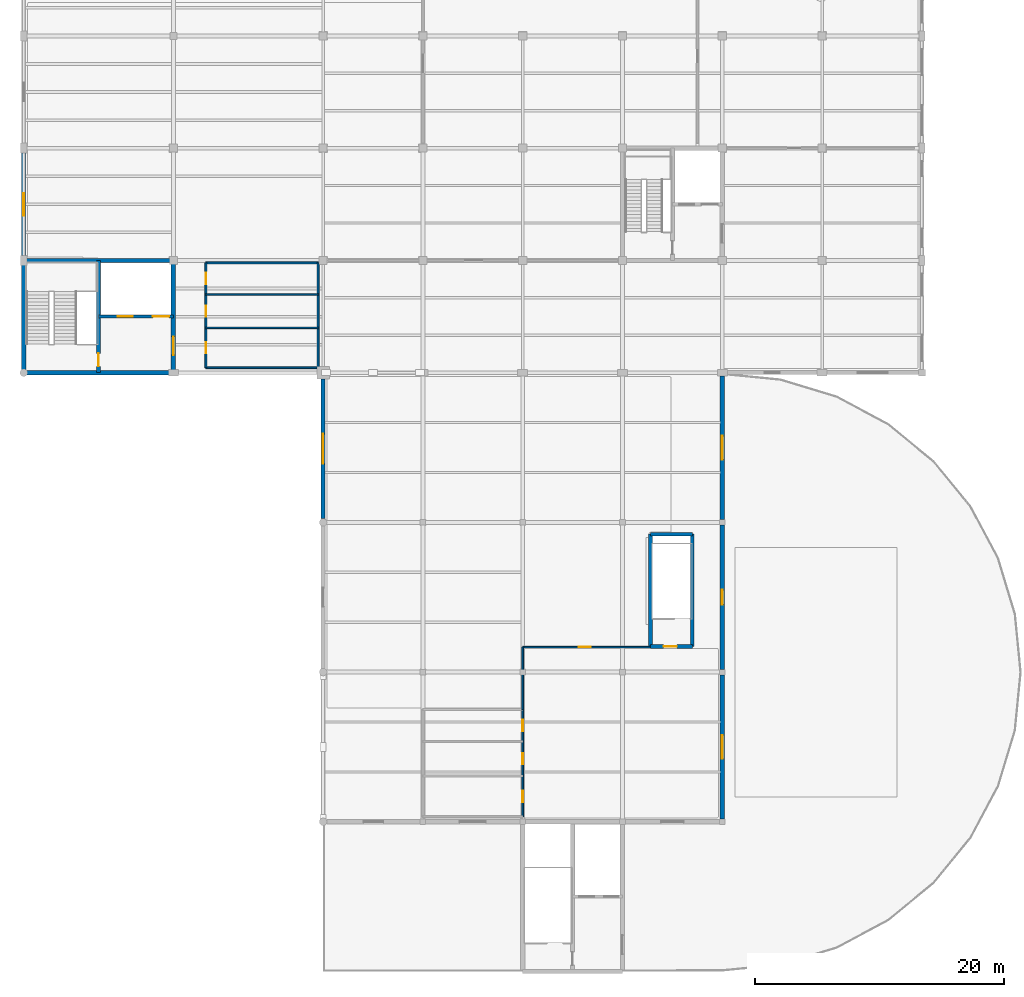
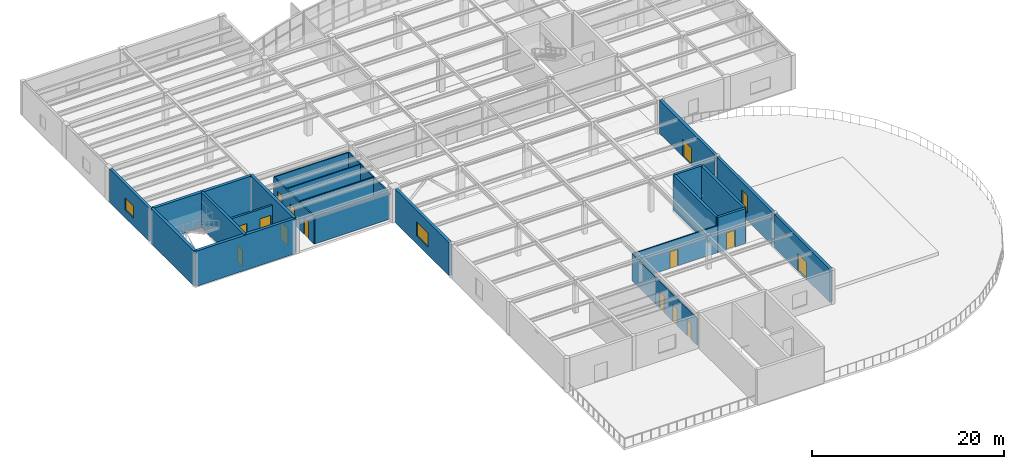
# One storey, part 8 of 16: 24 walls, 14 doors, 3 windows, 17 openings.
"""IFC4 building model written with IfcOpenShell, lengths in metres."""

from ifc_helpers import new_model, si_unit, direction, frame, frame_2d, origin, place, context, subcontext, project, spatial, rectangle, extrude, material, layer, layer_set, type_object, element, fill, save


model = new_model("IFC4")

# Units and contexts
model_context = context("Model", 3, precision=1e-05, world=origin(), true_north=direction((0.0, 1.0)))
body_context = subcontext(model_context, "Body", "Model", "MODEL_VIEW")
ifc_project = project(units=[si_unit("LENGTHUNIT", "METRE"), si_unit("AREAUNIT", "SQUARE_METRE"), si_unit("VOLUMEUNIT", "CUBIC_METRE"), si_unit("PLANEANGLEUNIT", "RADIAN"), si_unit("MASSUNIT", "GRAM", prefix="KILO")], contexts=[model_context])

# Site, building, storey
site_placement = place(None, origin())
site = spatial("IfcSite", under=ifc_project, at=site_placement, CompositionType="ELEMENT")
building_placement = place(site_placement, origin())
building = spatial("IfcBuilding", under=site, at=building_placement, Name="Keelwater Ferry Terminal", CompositionType="ELEMENT")
storey_placement = place(building_placement, frame((0.0, 0.0, 15.0)))
storey = spatial("IfcBuildingStorey", under=building, at=storey_placement, Name="L03", CompositionType="ELEMENT", Elevation=15.0)

# Wall, opening, door
ifc_material_1 = material(Name="Precast concrete C40/50", Category="concrete")
ifc_layer_1 = layer(ifc_material_1, 0.340087890625)
ifc_layer_set_1 = layer_set([ifc_layer_1], Name="Precast concrete C40/50")
wall_type_1 = type_object("IfcWallType", Name="EW-LM340 External Solid Wall 340", PredefinedType="SOLIDWALL", material=ifc_layer_set_1)
wall_1_placement = place(storey_placement, frame((164.0, 54.22509765625, 0.0), z_axis=(0.0, 0.0, 1.0), x_axis=(0.0, 1.0, 0.0)))
wall_1 = element("IfcWall", 1, at=wall_1_placement, inside=storey, type_object=wall_type_1, Name="External Wall WL-L03-0075", PredefinedType="SOLIDWALL", context=body_context, shape_type="SweptSolid", body=[
    extrude(rectangle(XDim=11.5498046875, YDim=0.340087890625, at=frame_2d((5.77490234375, 0.0))), origin(), (0.0, 0.0, 1.0), 4.239990234375),
])
opening_1_placement = place(wall_1_placement, frame((4.824951171875, 0.0, 0.0)))
opening_1 = element("IfcOpeningElement", 2, at=opening_1_placement, cuts=wall_1, Name="Opening TD-07", PredefinedType="OPENING", context=body_context, shape_type="SweptSolid", body=[
    extrude(rectangle(XDim=1.89990234375, YDim=2.199951171875, at=frame_2d((0.949951171875, 1.10009765625))), frame((0.0, 0.179931640625, 0.0), z_axis=(0.0, -1.0, 0.0), x_axis=(1.0, 0.0, 0.0)), (0.0, 0.0, 1.0), 0.360107421875),
])
ifc_material_2 = material(Name="Anodised aluminium and laminated safety glass", Category="aluminium")
door_type_1 = type_object("IfcDoorType", Name="TD-T1 Pedestrian Door 1900x2200", OperationType="DOUBLE_DOOR_SINGLE_SWING", PredefinedType="DOOR", material=ifc_material_2)
door_1_placement = place(opening_1_placement, origin())
door_1 = element("IfcDoor", 3, at=door_1_placement, inside=storey, type_object=door_type_1, Name="Door TD-07", OperationType="DOUBLE_DOOR_SINGLE_SWING", OverallHeight=2.199951171875, OverallWidth=1.89990234375, PredefinedType="DOOR", context=body_context, shape_type="SweptSolid", body=[
    extrude(rectangle(XDim=1.89990234375, YDim=2.199951171875, at=frame_2d((0.949951171875, 1.10009765625))), frame((0.0, 0.02490234375, 0.0), z_axis=(0.0, -1.0, 0.0), x_axis=(1.0, 0.0, 0.0)), (0.0, 0.0, 1.0), 0.050048828125),
])
fill(opening_1, door_1)

# Wall, opening, window
wall_2_placement = place(storey_placement, frame((164.0, 66.22509765625, 0.0), z_axis=(0.0, 0.0, 1.0), x_axis=(0.0, 1.0, 0.0)))
wall_2 = element("IfcWall", 4, at=wall_2_placement, inside=storey, type_object=wall_type_1, Name="External Wall WL-L03-0077", PredefinedType="SOLIDWALL", context=body_context, shape_type="SweptSolid", body=[
    extrude(rectangle(XDim=11.5498046875, YDim=0.340087890625, at=frame_2d((5.77490234375, 0.0))), origin(), (0.0, 0.0, 1.0), 4.239990234375),
])
opening_2_placement = place(wall_2_placement, frame((5.175048828125, 0.0, 1.0)))
opening_2 = element("IfcOpeningElement", 5, at=opening_2_placement, cuts=wall_2, Name="Opening WN-05", PredefinedType="OPENING", context=body_context, shape_type="SweptSolid", body=[
    extrude(rectangle(XDim=1.199951171875, YDim=2.199951171875, at=frame_2d((0.60009765625, 1.10009765625))), frame((0.0, 0.179931640625, 0.0), z_axis=(0.0, -1.0, 0.0), x_axis=(1.0, 0.0, 0.0)), (0.0, 0.0, 1.0), 0.360107421875),
])
ifc_material_3 = material(Name="Triple low-E glass in thermally broken aluminium frame", Category="aluminium")
window_type_1 = type_object("IfcWindowType", Name="WN-05 Exterior Window 1200x2200", PartitioningType="SINGLE_PANEL", PredefinedType="WINDOW", material=ifc_material_3)
window_1_placement = place(opening_2_placement, origin())
window_1 = element("IfcWindow", 6, at=window_1_placement, inside=storey, type_object=window_type_1, Name="Window WN-L03-0037", OverallHeight=2.199951171875, OverallWidth=1.199951171875, PartitioningType="SINGLE_PANEL", PredefinedType="WINDOW", context=body_context, shape_type="SweptSolid", body=[
    extrude(rectangle(XDim=1.199951171875, YDim=2.199951171875, at=frame_2d((0.60009765625, 1.10009765625))), frame((0.0, 0.030029296875, 0.0), z_axis=(0.0, -1.0, 0.0), x_axis=(1.0, 0.0, 0.0)), (0.0, 0.0, 1.0), 0.06005859375),
])
fill(opening_2, window_1)

wall_3_placement = place(storey_placement, frame((132.0, 89.5, 0.0), z_axis=(0.0, 0.0, 1.0), x_axis=(0.0, -1.0, 0.0)))
wall_3 = element("IfcWall", 7, at=wall_3_placement, inside=storey, type_object=wall_type_1, Name="External Wall WL-L03-0078", PredefinedType="SOLIDWALL", context=body_context, shape_type="SweptSolid", body=[
    extrude(rectangle(XDim=11.199951171875, YDim=0.340087890625, at=frame_2d((5.60009765625, 0.0))), origin(), (0.0, 0.0, 1.0), 4.239990234375),
])
opening_3_placement = place(wall_3_placement, frame((4.39990234375, 0.0, 1.0)))
opening_3 = element("IfcOpeningElement", 8, at=opening_3_placement, cuts=wall_3, Name="Opening WN-06", PredefinedType="OPENING", context=body_context, shape_type="SweptSolid", body=[
    extrude(rectangle(XDim=2.39990234375, YDim=1.800048828125, at=frame_2d((1.199951171875, 0.89990234375))), frame((0.0, 0.179931640625, 0.0), z_axis=(0.0, -1.0, 0.0), x_axis=(1.0, 0.0, 0.0)), (0.0, 0.0, 1.0), 0.360107421875),
])
ifc_material_4 = material(Name="Triple low-E glass in thermally broken aluminium frame", Category="aluminium")
window_type_2 = type_object("IfcWindowType", Name="WN-06 Exterior Window 2400x1800", PartitioningType="SINGLE_PANEL", PredefinedType="WINDOW", material=ifc_material_4)
window_2_placement = place(opening_3_placement, origin())
window_2 = element("IfcWindow", 9, at=window_2_placement, inside=storey, type_object=window_type_2, Name="Window WN-L03-0038", OverallHeight=1.800048828125, OverallWidth=2.39990234375, PartitioningType="SINGLE_PANEL", PredefinedType="WINDOW", context=body_context, shape_type="SweptSolid", body=[
    extrude(rectangle(XDim=2.39990234375, YDim=1.800048828125, at=frame_2d((1.199951171875, 0.89990234375))), frame((0.0, 0.030029296875, 0.0), z_axis=(0.0, -1.0, 0.0), x_axis=(1.0, 0.0, 0.0)), (0.0, 0.0, 1.0), 0.06005859375),
])
fill(opening_3, window_2)

# Wall, opening, door
wall_4_placement = place(storey_placement, frame((164.0, 78.22509765625, 0.0), z_axis=(0.0, 0.0, 1.0), x_axis=(0.0, 1.0, 0.0)))
wall_4 = element("IfcWall", 10, at=wall_4_placement, inside=storey, type_object=wall_type_1, Name="External Wall WL-L03-0079", PredefinedType="SOLIDWALL", context=body_context, shape_type="SweptSolid", body=[
    extrude(rectangle(XDim=11.52490234375, YDim=0.340087890625, at=frame_2d((5.762451171875, 0.0))), origin(), (0.0, 0.0, 1.0), 4.239990234375),
])
opening_4_placement = place(wall_4_placement, frame((4.81298828125, 0.0, 0.0)))
opening_4 = element("IfcOpeningElement", 11, at=opening_4_placement, cuts=wall_4, Name="Opening TD-08", PredefinedType="OPENING", context=body_context, shape_type="SweptSolid", body=[
    extrude(rectangle(XDim=1.89990234375, YDim=2.199951171875, at=frame_2d((0.949951171875, 1.10009765625))), frame((0.0, 0.179931640625, 0.0), z_axis=(0.0, -1.0, 0.0), x_axis=(1.0, 0.0, 0.0)), (0.0, 0.0, 1.0), 0.360107421875),
])
door_2_placement = place(opening_4_placement, origin())
door_2 = element("IfcDoor", 12, at=door_2_placement, inside=storey, type_object=door_type_1, Name="Door TD-08", OperationType="DOUBLE_DOOR_SINGLE_SWING", OverallHeight=2.199951171875, OverallWidth=1.89990234375, PredefinedType="DOOR", context=body_context, shape_type="SweptSolid", body=[
    extrude(rectangle(XDim=1.89990234375, YDim=2.199951171875, at=frame_2d((0.949951171875, 1.10009765625))), frame((0.0, 0.02490234375, 0.0), z_axis=(0.0, -1.0, 0.0), x_axis=(1.0, 0.0, 0.0)), (0.0, 0.0, 1.0), 0.050048828125),
])
fill(opening_4, door_2)

# Wall, opening, window
ifc_material_5 = material(Name="Precast concrete C40/50", Category="concrete")
ifc_layer_2 = layer(ifc_material_5, 0.320068359375)
ifc_layer_set_2 = layer_set([ifc_layer_2], Name="Precast concrete C40/50")
wall_type_2 = type_object("IfcWallType", Name="EW-TC320 External Solid Wall 320", PredefinedType="SOLIDWALL", material=ifc_layer_set_2)
wall_5_placement = place(storey_placement, frame((108.0, 107.60009765625, 0.0), z_axis=(0.0, 0.0, 1.0), x_axis=(0.0, -1.0, 0.0)))
wall_5 = element("IfcWall", 13, at=wall_5_placement, inside=storey, type_object=wall_type_2, Name="External Wall WL-L03-0115", PredefinedType="SOLIDWALL", context=body_context, shape_type="SweptSolid", body=[
    extrude(rectangle(XDim=8.2001953125, YDim=0.320068359375, at=frame_2d((4.10009765625, 0.0))), origin(), (0.0, 0.0, 1.0), 4.239990234375),
])
opening_5_placement = place(wall_5_placement, frame((3.199951171875, 0.0, 1.0)))
opening_5 = element("IfcOpeningElement", 14, at=opening_5_placement, cuts=wall_5, Name="Opening WN-12", PredefinedType="OPENING", context=body_context, shape_type="SweptSolid", body=[
    extrude(rectangle(XDim=1.800048828125, YDim=1.5, at=frame_2d((0.89990234375, 0.75))), frame((0.0, 0.170166015625, 0.0), z_axis=(0.0, -1.0, 0.0), x_axis=(1.0, 0.0, 0.0)), (0.0, 0.0, 1.0), 0.340087890625),
])
ifc_material_6 = material(Name="Triple low-E glass in thermally broken aluminium frame", Category="aluminium")
window_type_3 = type_object("IfcWindowType", Name="WN-12 Exterior Window 1800x1500", PartitioningType="SINGLE_PANEL", PredefinedType="WINDOW", material=ifc_material_6)
window_3_placement = place(opening_5_placement, origin())
window_3 = element("IfcWindow", 15, at=window_3_placement, inside=storey, type_object=window_type_3, Name="Window WN-L03-0079", OverallHeight=1.5, OverallWidth=1.800048828125, PartitioningType="SINGLE_PANEL", PredefinedType="WINDOW", context=body_context, shape_type="SweptSolid", body=[
    extrude(rectangle(XDim=1.800048828125, YDim=1.5, at=frame_2d((0.89990234375, 0.75))), frame((0.0, 0.030029296875, 0.0), z_axis=(0.0, -1.0, 0.0), x_axis=(1.0, 0.0, 0.0)), (0.0, 0.0, 1.0), 0.06005859375),
])
fill(opening_5, window_3)

# Wall, openings, doors
ifc_material_7 = material(Name="Concrete C40/50", Category="concrete")
ifc_layer_3 = layer(ifc_material_7, 0.25)
ifc_layer_set_3 = layer_set([ifc_layer_3], Name="Concrete C40/50")
wall_type_3 = type_object("IfcWallType", Name="IW-250 Solid Wall 250", PredefinedType="SOLIDWALL", material=ifc_layer_set_3)
wall_6_placement = place(storey_placement, frame((120.0, 94.5, 0.0), z_axis=(0.0, 0.0, 1.0), x_axis=(-1.0, 0.0, 0.0)))
wall_6 = element("IfcWall", 16, at=wall_6_placement, inside=storey, type_object=wall_type_3, Name="Interior Wall WL-INT-L03-0042", PredefinedType="SOLIDWALL", context=body_context, shape_type="SweptSolid", body=[
    extrude(rectangle(XDim=6.0, YDim=0.25, at=frame_2d((3.0, 0.0))), origin(), (0.0, 0.0, 1.0), 3.449951171875),
])
opening_6_placement = place(wall_6_placement, frame((0.35009765625, 0.0, 0.0)))
opening_6 = element("IfcOpeningElement", 17, at=opening_6_placement, cuts=wall_6, Name="Opening LD-013", PredefinedType="OPENING", context=body_context, shape_type="SweptSolid", body=[
    extrude(rectangle(XDim=1.300048828125, YDim=2.25, at=frame_2d((0.64990234375, 1.125))), frame((0.0, 0.135009765625, 0.0), z_axis=(0.0, -1.0, 0.0), x_axis=(1.0, 0.0, 0.0)), (0.0, 0.0, 1.0), 0.27001953125),
])
opening_7_placement = place(wall_6_placement, frame((3.25, 0.0, 0.0)))
opening_7 = element("IfcOpeningElement", 18, at=opening_7_placement, cuts=wall_6, Name="Opening LD-014", PredefinedType="OPENING", context=body_context, shape_type="SweptSolid", body=[
    extrude(rectangle(XDim=1.199951171875, YDim=2.199951171875, at=frame_2d((0.60009765625, 1.10009765625))), frame((0.0, 0.135009765625, 0.0), z_axis=(0.0, -1.0, 0.0), x_axis=(1.0, 0.0, 0.0)), (0.0, 0.0, 1.0), 0.27001953125),
])
ifc_material_8 = material(Name="Stainless steel sliding landing doors", Category="steel")
door_type_2 = type_object("IfcDoorType", Name="LD-T2 Lift Landing Door 1200x2200", OperationType="DOUBLE_DOOR_SLIDING", PredefinedType="USERDEFINED", material=ifc_material_8)
door_3_placement = place(opening_7_placement, origin())
door_3 = element("IfcDoor", 19, at=door_3_placement, inside=storey, type_object=door_type_2, Name="Door LD-014", ObjectType="LANDING DOOR", OperationType="DOUBLE_DOOR_SLIDING", OverallHeight=2.199951171875, OverallWidth=1.199951171875, PredefinedType="USERDEFINED", context=body_context, shape_type="SweptSolid", body=[
    extrude(rectangle(XDim=1.199951171875, YDim=2.199951171875, at=frame_2d((0.60009765625, 1.10009765625))), frame((0.0, 0.02490234375, 0.0), z_axis=(0.0, -1.0, 0.0), x_axis=(1.0, 0.0, 0.0)), (0.0, 0.0, 1.0), 0.050048828125),
])
fill(opening_7, door_3)
ifc_material_9 = material(Name="Stainless steel sliding landing doors", Category="steel")
door_type_3 = type_object("IfcDoorType", Name="LD-T3 Lift Landing Door 1300x2250", OperationType="DOUBLE_DOOR_SLIDING", PredefinedType="USERDEFINED", material=ifc_material_9)
door_4_placement = place(opening_6_placement, origin())
door_4 = element("IfcDoor", 20, at=door_4_placement, inside=storey, type_object=door_type_3, Name="Door LD-013", ObjectType="LANDING DOOR", OperationType="DOUBLE_DOOR_SLIDING", OverallHeight=2.25, OverallWidth=1.300048828125, PredefinedType="USERDEFINED", context=body_context, shape_type="SweptSolid", body=[
    extrude(rectangle(XDim=1.300048828125, YDim=2.25, at=frame_2d((0.64990234375, 1.125))), frame((0.0, 0.02490234375, 0.0), z_axis=(0.0, -1.0, 0.0), x_axis=(1.0, 0.0, 0.0)), (0.0, 0.0, 1.0), 0.050048828125),
])
fill(opening_6, door_4)

# Walls
ifc_material_10 = material(Name="Gypsum board on acoustic steel stud", Category="steel")
ifc_layer_4 = layer(ifc_material_10, 0.125)
ifc_layer_set_4 = layer_set([ifc_layer_4], Name="Gypsum board on acoustic steel stud")
wall_type_4 = type_object("IfcWallType", Name="PT-125 Partition Wall 125", PredefinedType="PARTITIONING", material=ifc_layer_set_4)
for number, where, z_axis, x_axis, name in (
    (21, (122.60009765625, 93.592041015625, 0.0), (0.0, 0.0, 1.0), (1.0, 0.0, 0.0), "Interior Wall WL-INT-L03-0188"),
    (22, (122.60009765625, 96.280029296875, 0.0), (0.0, 0.0, 1.0), (1.0, 0.0, 0.0), "Interior Wall WL-INT-L03-0189"),
):
    element("IfcWall", number, at=place(storey_placement, frame(where, z_axis=z_axis, x_axis=x_axis)), inside=storey, type_object=wall_type_4, Name=name, PredefinedType="PARTITIONING", context=body_context, shape_type="SweptSolid", body=[
        extrude(rectangle(XDim=9.0, YDim=0.125, at=frame_2d((4.5, 0.0))), origin(), (0.0, 0.0, 1.0), 3.449951171875),
    ])

# Wall, opening, door
wall_7_placement = place(storey_placement, frame((148.0, 68.0, 0.0), z_axis=(0.0, 0.0, 1.0), x_axis=(1.0, 0.0, 0.0)))
wall_7 = element("IfcWall", 23, at=wall_7_placement, inside=storey, type_object=wall_type_4, Name="Interior Wall WL-INT-L03-0262", PredefinedType="PARTITIONING", context=body_context, shape_type="SweptSolid", body=[
    extrude(rectangle(XDim=10.25, YDim=0.125, at=frame_2d((5.125, 0.0))), origin(), (0.0, 0.0, 1.0), 3.449951171875),
])
opening_8_placement = place(wall_7_placement, frame((4.5, 0.0, 0.0)))
opening_8 = element("IfcOpeningElement", 24, at=opening_8_placement, cuts=wall_7, Name="Opening DR-043", PredefinedType="OPENING", context=body_context, shape_type="SweptSolid", body=[
    extrude(rectangle(XDim=0.949951171875, YDim=2.10009765625, at=frame_2d((0.47509765625, 1.050048828125))), frame((0.0, 0.072509765625, 0.0), z_axis=(0.0, -1.0, 0.0), x_axis=(1.0, 0.0, 0.0)), (0.0, 0.0, 1.0), 0.14501953125),
])
ifc_material_11 = material(Name="Acoustic oak and fire-rated steel frame door", Category="steel")
door_type_4 = type_object("IfcDoorType", Name="ID-08 Pedestrian Door 950x2100", OperationType="NOTDEFINED", PredefinedType="DOOR", material=ifc_material_11)
door_5_placement = place(opening_8_placement, origin())
door_5 = element("IfcDoor", 25, at=door_5_placement, inside=storey, type_object=door_type_4, Name="Door DR-043", OperationType="SINGLE_SWING_LEFT", OverallHeight=2.10009765625, OverallWidth=0.949951171875, PredefinedType="DOOR", context=body_context, shape_type="SweptSolid", body=[
    extrude(rectangle(XDim=0.949951171875, YDim=2.10009765625, at=frame_2d((0.47509765625, 1.050048828125))), frame((0.0, 0.02490234375, 0.0), z_axis=(0.0, -1.0, 0.0), x_axis=(1.0, 0.0, 0.0)), (0.0, 0.0, 1.0), 0.050048828125),
])
fill(opening_8, door_5)

# Wall, openings, doors
ifc_material_12 = material(Name="Gypsum board on acoustic steel stud", Category="steel")
ifc_layer_5 = layer(ifc_material_12, 0.14990234375)
ifc_layer_set_5 = layer_set([ifc_layer_5], Name="Gypsum board on acoustic steel stud")
wall_type_5 = type_object("IfcWallType", Name="PT-150 Partition Wall 150", PredefinedType="PARTITIONING", material=ifc_layer_set_5)
wall_8_placement = place(storey_placement, frame((122.60009765625, 90.39990234375, 0.0), z_axis=(0.0, 0.0, 1.0), x_axis=(0.0, 1.0, 0.0)))
wall_8 = element("IfcWall", 26, at=wall_8_placement, inside=storey, type_object=wall_type_5, Name="Interior Wall WL-INT-L03-0184", PredefinedType="PARTITIONING", context=body_context, shape_type="SweptSolid", body=[
    extrude(rectangle(XDim=8.400146484375, YDim=0.14990234375, at=frame_2d((4.2001953125, 0.0))), origin(), (0.0, 0.0, 1.0), 3.449951171875),
])
opening_9_placement = place(wall_8_placement, frame((1.14599609375, 0.0, 0.0)))
opening_9 = element("IfcOpeningElement", 27, at=opening_9_placement, cuts=wall_8, Name="Opening WD-019", PredefinedType="OPENING", context=body_context, shape_type="SweptSolid", body=[
    extrude(rectangle(XDim=0.89990234375, YDim=2.10009765625, at=frame_2d((0.449951171875, 1.050048828125))), frame((0.0, 0.0849609375, 0.0), z_axis=(0.0, -1.0, 0.0), x_axis=(1.0, 0.0, 0.0)), (0.0, 0.0, 1.0), 0.169921875),
])
opening_10_placement = place(wall_8_placement, frame((4.0859375, 0.0, 0.0)))
opening_10 = element("IfcOpeningElement", 28, at=opening_10_placement, cuts=wall_8, Name="Opening WD-020", PredefinedType="OPENING", context=body_context, shape_type="SweptSolid", body=[
    extrude(rectangle(XDim=0.89990234375, YDim=2.10009765625, at=frame_2d((0.449951171875, 1.050048828125))), frame((0.0, 0.0849609375, 0.0), z_axis=(0.0, -1.0, 0.0), x_axis=(1.0, 0.0, 0.0)), (0.0, 0.0, 1.0), 0.169921875),
])
opening_11_placement = place(wall_8_placement, frame((6.679931640625, 0.0, 0.0)))
opening_11 = element("IfcOpeningElement", 29, at=opening_11_placement, cuts=wall_8, Name="Opening WD-021", PredefinedType="OPENING", context=body_context, shape_type="SweptSolid", body=[
    extrude(rectangle(XDim=0.919921875, YDim=2.10009765625, at=frame_2d((0.4599609375, 1.050048828125))), frame((0.0, 0.0849609375, 0.0), z_axis=(0.0, -1.0, 0.0), x_axis=(1.0, 0.0, 0.0)), (0.0, 0.0, 1.0), 0.169921875),
])
ifc_material_13 = material(Name="Acoustic oak and fire-rated steel frame door", Category="steel")
door_type_5 = type_object("IfcDoorType", Name="ID-09 Pedestrian Door 920x2100", OperationType="NOTDEFINED", PredefinedType="DOOR", material=ifc_material_13)
door_6_placement = place(opening_11_placement, origin())
door_6 = element("IfcDoor", 30, at=door_6_placement, inside=storey, type_object=door_type_5, Name="Door WD-021", OperationType="SINGLE_SWING_LEFT", OverallHeight=2.10009765625, OverallWidth=0.919921875, PredefinedType="DOOR", context=body_context, shape_type="SweptSolid", body=[
    extrude(rectangle(XDim=0.919921875, YDim=2.10009765625, at=frame_2d((0.4599609375, 1.050048828125))), frame((0.0, 0.02490234375, 0.0), z_axis=(0.0, -1.0, 0.0), x_axis=(1.0, 0.0, 0.0)), (0.0, 0.0, 1.0), 0.050048828125),
])
fill(opening_11, door_6)
ifc_material_14 = material(Name="Acoustic oak and fire-rated steel frame door", Category="steel")
door_type_6 = type_object("IfcDoorType", Name="ID-10 Pedestrian Door 900x2100", OperationType="NOTDEFINED", PredefinedType="DOOR", material=ifc_material_14)
door_7_placement = place(opening_9_placement, origin())
door_7 = element("IfcDoor", 31, at=door_7_placement, inside=storey, type_object=door_type_6, Name="Door WD-019", OperationType="SINGLE_SWING_LEFT", OverallHeight=2.10009765625, OverallWidth=0.89990234375, PredefinedType="DOOR", context=body_context, shape_type="SweptSolid", body=[
    extrude(rectangle(XDim=0.89990234375, YDim=2.10009765625, at=frame_2d((0.449951171875, 1.050048828125))), frame((0.0, 0.02490234375, 0.0), z_axis=(0.0, -1.0, 0.0), x_axis=(1.0, 0.0, 0.0)), (0.0, 0.0, 1.0), 0.050048828125),
])
fill(opening_9, door_7)
door_8_placement = place(opening_10_placement, origin())
door_8 = element("IfcDoor", 32, at=door_8_placement, inside=storey, type_object=door_type_6, Name="Door WD-020", OperationType="SINGLE_SWING_RIGHT", OverallHeight=2.10009765625, OverallWidth=0.89990234375, PredefinedType="DOOR", context=body_context, shape_type="SweptSolid", body=[
    extrude(rectangle(XDim=0.89990234375, YDim=2.10009765625, at=frame_2d((0.449951171875, 1.050048828125))), frame((0.0, 0.02490234375, 0.0), z_axis=(0.0, -1.0, 0.0), x_axis=(1.0, 0.0, 0.0)), (0.0, 0.0, 1.0), 0.050048828125),
])
fill(opening_10, door_8)

# Walls
wall_9_placement = place(storey_placement, frame((131.60009765625, 90.39990234375, 0.0), z_axis=(0.0, 0.0, 1.0), x_axis=(0.0, 1.0, 0.0)))
element("IfcWall", 33, at=wall_9_placement, inside=storey, type_object=wall_type_5, Name="Interior Wall WL-INT-L03-0185", PredefinedType="PARTITIONING", context=body_context, shape_type="SweptSolid", body=[
    extrude(rectangle(XDim=8.400146484375, YDim=0.14990234375, at=frame_2d((4.2001953125, 0.0))), origin(), (0.0, 0.0, 1.0), 3.449951171875),
])
for number, where, z_axis, x_axis, name in (
    (34, (122.60009765625, 98.800048828125, 0.0), (0.0, 0.0, 1.0), (1.0, 0.0, 0.0), "Interior Wall WL-INT-L03-0186"),
    (35, (122.60009765625, 90.39990234375, 0.0), (0.0, 0.0, 1.0), (1.0, 0.0, 0.0), "Interior Wall WL-INT-L03-0187"),
):
    element("IfcWall", number, at=place(storey_placement, frame(where, z_axis=z_axis, x_axis=x_axis)), inside=storey, type_object=wall_type_5, Name=name, PredefinedType="PARTITIONING", context=body_context, shape_type="SweptSolid", body=[
        extrude(rectangle(XDim=9.0, YDim=0.14990234375, at=frame_2d((4.5, 0.0))), origin(), (0.0, 0.0, 1.0), 3.449951171875),
    ])

# Wall, openings, doors
wall_10_placement = place(storey_placement, frame((148.0, 54.39990234375, 0.0), z_axis=(0.0, 0.0, 1.0), x_axis=(0.0, 1.0, 0.0)))
wall_10 = element("IfcWall", 36, at=wall_10_placement, inside=storey, type_object=wall_type_5, Name="Interior Wall WL-INT-L03-0221", PredefinedType="PARTITIONING", context=body_context, shape_type="SweptSolid", body=[
    extrude(rectangle(XDim=8.60009765625, YDim=0.14990234375, at=frame_2d((4.300048828125, 0.0))), origin(), (0.0, 0.0, 1.0), 3.449951171875),
])
opening_12_placement = place(wall_10_placement, frame((1.18408203125, 0.0, 0.0)))
opening_12 = element("IfcOpeningElement", 37, at=opening_12_placement, cuts=wall_10, Name="Opening WD-037", PredefinedType="OPENING", context=body_context, shape_type="SweptSolid", body=[
    extrude(rectangle(XDim=0.89990234375, YDim=2.10009765625, at=frame_2d((0.449951171875, 1.050048828125))), frame((0.0, 0.0849609375, 0.0), z_axis=(0.0, -1.0, 0.0), x_axis=(1.0, 0.0, 0.0)), (0.0, 0.0, 1.0), 0.169921875),
])
opening_13_placement = place(wall_10_placement, frame((4.194091796875, 0.0, 0.0)))
opening_13 = element("IfcOpeningElement", 38, at=opening_13_placement, cuts=wall_10, Name="Opening WD-038", PredefinedType="OPENING", context=body_context, shape_type="SweptSolid", body=[
    extrude(rectangle(XDim=0.89990234375, YDim=2.10009765625, at=frame_2d((0.449951171875, 1.050048828125))), frame((0.0, 0.0849609375, 0.0), z_axis=(0.0, -1.0, 0.0), x_axis=(1.0, 0.0, 0.0)), (0.0, 0.0, 1.0), 0.169921875),
])
opening_14_placement = place(wall_10_placement, frame((6.85009765625, 0.0, 0.0)))
opening_14 = element("IfcOpeningElement", 39, at=opening_14_placement, cuts=wall_10, Name="Opening WD-039", PredefinedType="OPENING", context=body_context, shape_type="SweptSolid", body=[
    extrude(rectangle(XDim=0.919921875, YDim=2.10009765625, at=frame_2d((0.4599609375, 1.050048828125))), frame((0.0, 0.0849609375, 0.0), z_axis=(0.0, -1.0, 0.0), x_axis=(1.0, 0.0, 0.0)), (0.0, 0.0, 1.0), 0.169921875),
])
door_9_placement = place(opening_14_placement, origin())
door_9 = element("IfcDoor", 40, at=door_9_placement, inside=storey, type_object=door_type_5, Name="Door WD-039", OperationType="SINGLE_SWING_LEFT", OverallHeight=2.10009765625, OverallWidth=0.919921875, PredefinedType="DOOR", context=body_context, shape_type="SweptSolid", body=[
    extrude(rectangle(XDim=0.919921875, YDim=2.10009765625, at=frame_2d((0.4599609375, 1.050048828125))), frame((0.0, 0.02490234375, 0.0), z_axis=(0.0, -1.0, 0.0), x_axis=(1.0, 0.0, 0.0)), (0.0, 0.0, 1.0), 0.050048828125),
])
fill(opening_14, door_9)
door_10_placement = place(opening_12_placement, origin())
door_10 = element("IfcDoor", 41, at=door_10_placement, inside=storey, type_object=door_type_6, Name="Door WD-037", OperationType="SINGLE_SWING_LEFT", OverallHeight=2.10009765625, OverallWidth=0.89990234375, PredefinedType="DOOR", context=body_context, shape_type="SweptSolid", body=[
    extrude(rectangle(XDim=0.89990234375, YDim=2.10009765625, at=frame_2d((0.449951171875, 1.050048828125))), frame((0.0, 0.02490234375, 0.0), z_axis=(0.0, -1.0, 0.0), x_axis=(1.0, 0.0, 0.0)), (0.0, 0.0, 1.0), 0.050048828125),
])
fill(opening_12, door_10)
door_11_placement = place(opening_13_placement, origin())
door_11 = element("IfcDoor", 42, at=door_11_placement, inside=storey, type_object=door_type_6, Name="Door WD-038", OperationType="SINGLE_SWING_RIGHT", OverallHeight=2.10009765625, OverallWidth=0.89990234375, PredefinedType="DOOR", context=body_context, shape_type="SweptSolid", body=[
    extrude(rectangle(XDim=0.89990234375, YDim=2.10009765625, at=frame_2d((0.449951171875, 1.050048828125))), frame((0.0, 0.02490234375, 0.0), z_axis=(0.0, -1.0, 0.0), x_axis=(1.0, 0.0, 0.0)), (0.0, 0.0, 1.0), 0.050048828125),
])
fill(opening_13, door_11)

# Wall
wall_11_placement = place(storey_placement, frame((148.0, 63.0, 0.0), z_axis=(0.0, 0.0, 1.0), x_axis=(0.0, 1.0, 0.0)))
element("IfcWall", 43, at=wall_11_placement, inside=storey, type_object=wall_type_5, Name="Interior Wall WL-INT-L03-0261", PredefinedType="PARTITIONING", context=body_context, shape_type="SweptSolid", body=[
    extrude(rectangle(XDim=5.0, YDim=0.14990234375, at=frame_2d((2.5, 0.0))), origin(), (0.0, 0.0, 1.0), 3.449951171875),
])

# Wall, opening, door
ifc_material_15 = material(Name="Concrete C45/55", Category="concrete")
ifc_layer_6 = layer(ifc_material_15, 0.300048828125)
ifc_layer_set_6 = layer_set([ifc_layer_6], Name="Concrete C45/55")
wall_type_6 = type_object("IfcWallType", Name="SW-300 Shear Wall 300", PredefinedType="SHEAR", material=ifc_layer_set_6)
wall_12_placement = place(storey_placement, frame((114.0, 99.0, 0.0), z_axis=(0.0, 0.0, 1.0), x_axis=(0.0, -1.0, 0.0)))
wall_12 = element("IfcWall", 44, at=wall_12_placement, inside=storey, type_object=wall_type_6, Name="Interior Wall WL-INT-L03-0041", PredefinedType="SHEAR", context=body_context, shape_type="SweptSolid", body=[
    extrude(rectangle(XDim=9.0, YDim=0.300048828125, at=frame_2d((4.5, 0.0))), origin(), (0.0, 0.0, 1.0), 4.47998046875),
])
opening_15_placement = place(wall_12_placement, frame((7.449951171875, 0.0, 0.0)))
opening_15 = element("IfcOpeningElement", 45, at=opening_15_placement, cuts=wall_12, Name="Opening FD-013", PredefinedType="OPENING", context=body_context, shape_type="SweptSolid", body=[
    extrude(rectangle(XDim=1.050048828125, YDim=2.14990234375, at=frame_2d((0.52490234375, 1.074951171875))), frame((0.0, 0.159912109375, 0.0), z_axis=(0.0, -1.0, 0.0), x_axis=(1.0, 0.0, 0.0)), (0.0, 0.0, 1.0), 0.320068359375),
])
ifc_material_16 = material(Name="Acoustic oak and fire-rated steel frame door", Category="steel")
door_type_7 = type_object("IfcDoorType", Name="ID-06 Pedestrian Door 1050x2150", OperationType="NOTDEFINED", PredefinedType="DOOR", material=ifc_material_16)
door_12_placement = place(opening_15_placement, origin())
door_12 = element("IfcDoor", 46, at=door_12_placement, inside=storey, type_object=door_type_7, Name="Door FD-013", OperationType="SINGLE_SWING_LEFT", OverallHeight=2.14990234375, OverallWidth=1.050048828125, PredefinedType="DOOR", context=body_context, shape_type="SweptSolid", body=[
    extrude(rectangle(XDim=1.050048828125, YDim=2.14990234375, at=frame_2d((0.52490234375, 1.074951171875))), frame((0.0, 0.02490234375, 0.0), z_axis=(0.0, -1.0, 0.0), x_axis=(1.0, 0.0, 0.0)), (0.0, 0.0, 1.0), 0.050048828125),
])
fill(opening_15, door_12)

wall_13_placement = place(storey_placement, frame((158.25, 68.050048828125, 0.0), z_axis=(0.0, 0.0, 1.0), x_axis=(1.0, 0.0, 0.0)))
wall_13 = element("IfcWall", 47, at=wall_13_placement, inside=storey, type_object=wall_type_6, Name="Interior Wall WL-INT-L03-0147", PredefinedType="SHEAR", context=body_context, shape_type="SweptSolid", body=[
    extrude(rectangle(XDim=3.35009765625, YDim=0.300048828125, at=frame_2d((1.675048828125, 0.0))), origin(), (0.0, 0.0, 1.0), 4.47998046875),
])
opening_16_placement = place(wall_13_placement, frame((1.050048828125, 0.0, 0.0)))
opening_16 = element("IfcOpeningElement", 48, at=opening_16_placement, cuts=wall_13, Name="Opening FD-045", PredefinedType="OPENING", context=body_context, shape_type="SweptSolid", body=[
    extrude(rectangle(XDim=1.050048828125, YDim=2.14990234375, at=frame_2d((0.52490234375, 1.074951171875))), frame((0.0, 0.159912109375, 0.0), z_axis=(0.0, -1.0, 0.0), x_axis=(1.0, 0.0, 0.0)), (0.0, 0.0, 1.0), 0.320068359375),
])
door_13_placement = place(opening_16_placement, origin())
door_13 = element("IfcDoor", 49, at=door_13_placement, inside=storey, type_object=door_type_7, Name="Door FD-045", OperationType="SINGLE_SWING_RIGHT", OverallHeight=2.14990234375, OverallWidth=1.050048828125, PredefinedType="DOOR", context=body_context, shape_type="SweptSolid", body=[
    extrude(rectangle(XDim=1.050048828125, YDim=2.14990234375, at=frame_2d((0.52490234375, 1.074951171875))), frame((0.0, 0.02490234375, 0.0), z_axis=(0.0, -1.0, 0.0), x_axis=(1.0, 0.0, 0.0)), (0.0, 0.0, 1.0), 0.050048828125),
])
fill(opening_16, door_13)

# Walls
wall_14_placement = place(storey_placement, frame((158.25, 77.050048828125, 0.0), z_axis=(0.0, 0.0, 1.0), x_axis=(1.0, 0.0, 0.0)))
element("IfcWall", 50, at=wall_14_placement, inside=storey, type_object=wall_type_6, Name="Interior Wall WL-INT-L03-0148", PredefinedType="SHEAR", context=body_context, shape_type="SweptSolid", body=[
    extrude(rectangle(XDim=3.35009765625, YDim=0.300048828125, at=frame_2d((1.675048828125, 0.0))), origin(), (0.0, 0.0, 1.0), 4.47998046875),
])
for number, where, z_axis, x_axis, name in (
    (51, (158.25, 68.050048828125, 0.0), (0.0, 0.0, 1.0), (0.0, 1.0, 0.0), "Interior Wall WL-INT-L03-0149"),
    (52, (161.60009765625, 68.050048828125, 0.0), (0.0, 0.0, 1.0), (0.0, 1.0, 0.0), "Interior Wall WL-INT-L03-0150"),
):
    element("IfcWall", number, at=place(storey_placement, frame(where, z_axis=z_axis, x_axis=x_axis)), inside=storey, type_object=wall_type_6, Name=name, PredefinedType="SHEAR", context=body_context, shape_type="SweptSolid", body=[
        extrude(rectangle(XDim=9.0, YDim=0.300048828125, at=frame_2d((4.5, 0.0))), origin(), (0.0, 0.0, 1.0), 4.47998046875),
    ])
ifc_material_17 = material(Name="Concrete C45/55", Category="concrete")
ifc_layer_7 = layer(ifc_material_17, 0.35009765625)
ifc_layer_set_7 = layer_set([ifc_layer_7], Name="Concrete C45/55")
wall_type_7 = type_object("IfcWallType", Name="SW-350 Shear Wall 350", PredefinedType="SHEAR", material=ifc_layer_set_7)
for number, where, z_axis, x_axis, name in (
    (53, (108.0, 90.0, 0.0), (0.0, 0.0, 1.0), (1.0, 0.0, 0.0), "Interior Wall WL-INT-L03-0037"),
    (54, (108.0, 99.0, 0.0), (0.0, 0.0, 1.0), (1.0, 0.0, 0.0), "Interior Wall WL-INT-L03-0038"),
):
    element("IfcWall", number, at=place(storey_placement, frame(where, z_axis=z_axis, x_axis=x_axis)), inside=storey, type_object=wall_type_7, Name=name, PredefinedType="SHEAR", context=body_context, shape_type="SweptSolid", body=[
        extrude(rectangle(XDim=12.0, YDim=0.35009765625, at=frame_2d((6.0, 0.0))), origin(), (0.0, 0.0, 1.0), 4.47998046875),
    ])
wall_15_placement = place(storey_placement, frame((108.0, 90.0, 0.0), z_axis=(0.0, 0.0, 1.0), x_axis=(0.0, 1.0, 0.0)))
element("IfcWall", 55, at=wall_15_placement, inside=storey, type_object=wall_type_7, Name="Interior Wall WL-INT-L03-0039", PredefinedType="SHEAR", context=body_context, shape_type="SweptSolid", body=[
    extrude(rectangle(XDim=9.0, YDim=0.35009765625, at=frame_2d((4.5, 0.0))), origin(), (0.0, 0.0, 1.0), 4.47998046875),
])

# Wall, opening, door
wall_16_placement = place(storey_placement, frame((120.0, 90.0, 0.0), z_axis=(0.0, 0.0, 1.0), x_axis=(0.0, 1.0, 0.0)))
wall_16 = element("IfcWall", 56, at=wall_16_placement, inside=storey, type_object=wall_type_7, Name="Interior Wall WL-INT-L03-0040", PredefinedType="SHEAR", context=body_context, shape_type="SweptSolid", body=[
    extrude(rectangle(XDim=9.0, YDim=0.35009765625, at=frame_2d((4.5, 0.0))), origin(), (0.0, 0.0, 1.0), 4.47998046875),
])
opening_17_placement = place(wall_16_placement, frame((1.39990234375, 0.0, 0.0)))
opening_17 = element("IfcOpeningElement", 57, at=opening_17_placement, cuts=wall_16, Name="Opening FD-014", PredefinedType="OPENING", context=body_context, shape_type="SweptSolid", body=[
    extrude(rectangle(XDim=1.5, YDim=2.199951171875, at=frame_2d((0.75, 1.10009765625))), frame((0.0, 0.18505859375, 0.0), z_axis=(0.0, -1.0, 0.0), x_axis=(1.0, 0.0, 0.0)), (0.0, 0.0, 1.0), 0.3701171875),
])
ifc_material_18 = material(Name="Acoustic oak and fire-rated steel frame door", Category="steel")
door_type_8 = type_object("IfcDoorType", Name="ID-02 Pedestrian Door 1500x2200", OperationType="DOUBLE_DOOR_SINGLE_SWING", PredefinedType="DOOR", material=ifc_material_18)
door_14_placement = place(opening_17_placement, origin())
door_14 = element("IfcDoor", 58, at=door_14_placement, inside=storey, type_object=door_type_8, Name="Door FD-014", OperationType="DOUBLE_DOOR_SINGLE_SWING", OverallHeight=2.199951171875, OverallWidth=1.5, PredefinedType="DOOR", context=body_context, shape_type="SweptSolid", body=[
    extrude(rectangle(XDim=1.5, YDim=2.199951171875, at=frame_2d((0.75, 1.10009765625))), frame((0.0, 0.02490234375, 0.0), z_axis=(0.0, -1.0, 0.0), x_axis=(1.0, 0.0, 0.0)), (0.0, 0.0, 1.0), 0.050048828125),
])
fill(opening_17, door_14)

save(model, "model.ifc")
